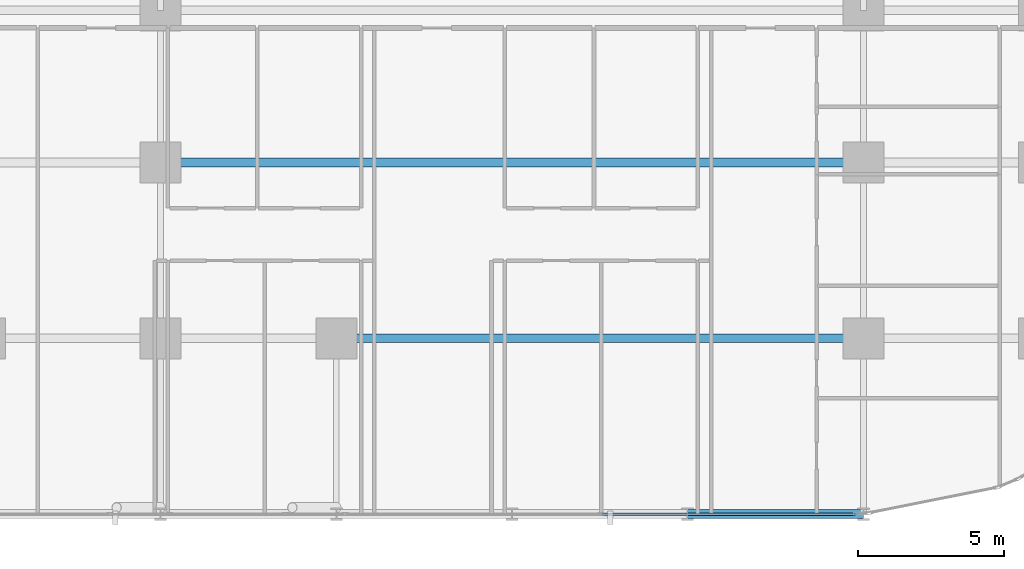
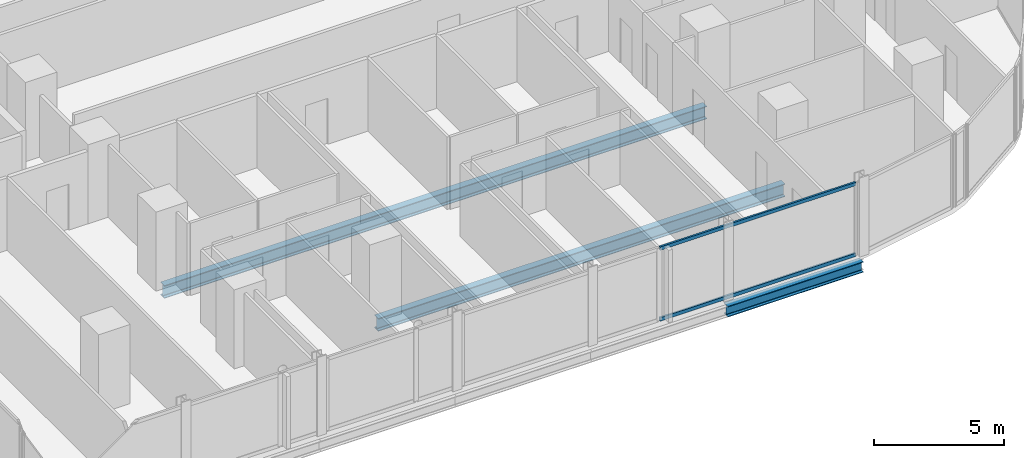
# One storey, part 8 of 34: 3 beams, 2 members, 1 element without a shape of its own.
"""IFC4 building model written with IfcOpenShell, lengths in metres."""

from ifc_helpers import new_model, si_unit, direction, frame, origin, origin_2d, place, context, subcontext, project, spatial, hollow_rectangle, i_section, extrude, material, layer, layer_set, material_profile, profile_set, type_object, element, aggregate, save


model = new_model("IFC4")

# Units and contexts
model_context = context("Model", 3, precision=1e-05, world=origin(), true_north=direction((0.0, 1.0)))
body_context = subcontext(model_context, "Body", "Model", "MODEL_VIEW")
ifc_project = project(units=[si_unit("LENGTHUNIT", "METRE"), si_unit("AREAUNIT", "SQUARE_METRE"), si_unit("VOLUMEUNIT", "CUBIC_METRE"), si_unit("PLANEANGLEUNIT", "RADIAN"), si_unit("MASSUNIT", "GRAM", prefix="KILO")], contexts=[model_context])

# Site, building, storey
site_placement = place(None, origin())
site = spatial("IfcSite", under=ifc_project, at=site_placement, CompositionType="ELEMENT")
building_placement = place(site_placement, origin())
building = spatial("IfcBuilding", under=site, at=building_placement, Name="Keshet Zoharim Tower", CompositionType="ELEMENT")
storey_placement = place(building_placement, frame((0.0, 0.0, 46.199951171875)))
storey = spatial("IfcBuildingStorey", under=building, at=storey_placement, Name="L10", CompositionType="ELEMENT", Elevation=46.199951171875)

# Beams
ifc_material_1 = material(Name="Steel S355", Category="steel")
ifc_material_profile_1 = material_profile(ifc_material_1, i_section(OverallWidth=0.300048828125, OverallDepth=0.60009765625, WebThickness=0.015380859375, FlangeThickness=0.030029296875, FilletRadius=0.027099609375, at=origin_2d()), Name="HEB600")
ifc_profile_set_1 = profile_set([ifc_material_profile_1], Name="Steel S355")
beam_type_1 = type_object("IfcBeamType", Name="BM-LNG-HB600", PredefinedType="BEAM", material=ifc_profile_set_1)
beam_1_placement = place(storey_placement, frame((39.0, 6.699951171875, -0.614990234375), z_axis=(1.0, 0.0, 0.0), x_axis=(0.0, 1.0, 0.0)))
element("IfcBeam", 1, at=beam_1_placement, inside=storey, type_object=beam_type_1, Name="L10 Primary Girder X-009", PredefinedType="BEAM", context=body_context, shape_type="SweptSolid", body=[
    extrude(i_section(OverallWidth=0.300048828125, OverallDepth=0.60009765625, WebThickness=0.015380859375, FlangeThickness=0.030029296875, FilletRadius=0.027099609375, at=origin_2d()), origin(), (0.0, 0.0, 1.0), 18.0),
])
beam_2_placement = place(storey_placement, frame((33.0, 12.699951171875, -0.614990234375), z_axis=(1.0, 0.0, 0.0), x_axis=(0.0, 1.0, 0.0)))
element("IfcBeam", 2, at=beam_2_placement, inside=storey, type_object=beam_type_1, Name="L10 Primary Girder X-012", PredefinedType="BEAM", context=body_context, shape_type="SweptSolid", body=[
    extrude(i_section(OverallWidth=0.300048828125, OverallDepth=0.60009765625, WebThickness=0.015380859375, FlangeThickness=0.030029296875, FilletRadius=0.027099609375, at=origin_2d()), origin(), (0.0, 0.0, 1.0), 24.0),
])
ifc_material_profile_2 = material_profile(ifc_material_1, i_section(OverallWidth=0.300048828125, OverallDepth=0.5, WebThickness=0.014404296875, FlangeThickness=0.028076171875, FilletRadius=0.027099609375, at=origin_2d()), Name="HEB500")
ifc_profile_set_2 = profile_set([ifc_material_profile_2], Name="Steel S355")
beam_type_2 = type_object("IfcBeamType", Name="BM-WEB-HB500", PredefinedType="BEAM", material=ifc_profile_set_2)
beam_3_placement = place(storey_placement, frame((51.0, 0.699951171875, -0.56494140625), z_axis=(1.0, 0.0, 0.0), x_axis=(0.0, 1.0, 0.0)))
element("IfcBeam", 3, at=beam_3_placement, inside=storey, type_object=beam_type_2, Name="L10 Primary Girder X-005", PredefinedType="BEAM", context=body_context, shape_type="SweptSolid", body=[
    extrude(i_section(OverallWidth=0.300048828125, OverallDepth=0.5, WebThickness=0.014404296875, FlangeThickness=0.028076171875, FilletRadius=0.027099609375, at=origin_2d()), origin(), (0.0, 0.0, 1.0), 6.0),
])

# Curtain wall, members
ifc_material_2 = material(Name="Aluminium 6063-T6", Category="aluminium")
ifc_layer = layer(ifc_material_2, 0.179931640625)
ifc_layer_set = layer_set([ifc_layer], Name="Aluminium 6063-T6")
curtain_wall_type = type_object("IfcCurtainWallType", Name="CW-SYS-01", PredefinedType="NOTDEFINED", material=ifc_layer_set)
curtain_wall_placement = place(storey_placement, origin())
curtain_wall = element("IfcCurtainWall", 4, at=curtain_wall_placement, inside=storey, type_object=curtain_wall_type, Name="L10 Unitised Curtain Wall 26", PredefinedType="NOTDEFINED")
ifc_material_profile_3 = material_profile(ifc_material_2, hollow_rectangle(XDim=0.0849609375, YDim=0.159912109375, WallThickness=0.00439453125, at=origin_2d()), Name="TRN-85x160")
ifc_profile_set_3 = profile_set([ifc_material_profile_3], Name="Aluminium 6063-T6")
member_type = type_object("IfcMemberType", Name="CWT-T16", PredefinedType="USERDEFINED", material=ifc_profile_set_3)
member_1_placement = place(storey_placement, frame((56.73291015625, 0.699951171875, 0.03515625), z_axis=(-1.0, 0.0, 0.0), x_axis=(0.0, -1.0, 0.0)))
member_1 = element("IfcMember", 5, at=member_1_placement, type_object=member_type, Name="CW-01 transom 1.1", ObjectType="TRANSOM", PredefinedType="USERDEFINED", context=body_context, shape_type="SweptSolid", body=[
    extrude(hollow_rectangle(XDim=0.0849609375, YDim=0.159912109375, WallThickness=0.00439453125, at=origin_2d()), origin(), (0.0, 0.0, 1.0), 8.6650390625),
])
member_2_placement = place(storey_placement, frame((56.73291015625, 0.699951171875, 3.35009765625), z_axis=(-1.0, 0.0, 0.0), x_axis=(0.0, -1.0, 0.0)))
member_2 = element("IfcMember", 6, at=member_2_placement, type_object=member_type, Name="CW-01 transom 1.2", ObjectType="TRANSOM", PredefinedType="USERDEFINED", context=body_context, shape_type="SweptSolid", body=[
    extrude(hollow_rectangle(XDim=0.0849609375, YDim=0.159912109375, WallThickness=0.00439453125, at=origin_2d()), origin(), (0.0, 0.0, 1.0), 8.6650390625),
])
aggregate(curtain_wall, [member_1, member_2])

save(model, "model.ifc")
